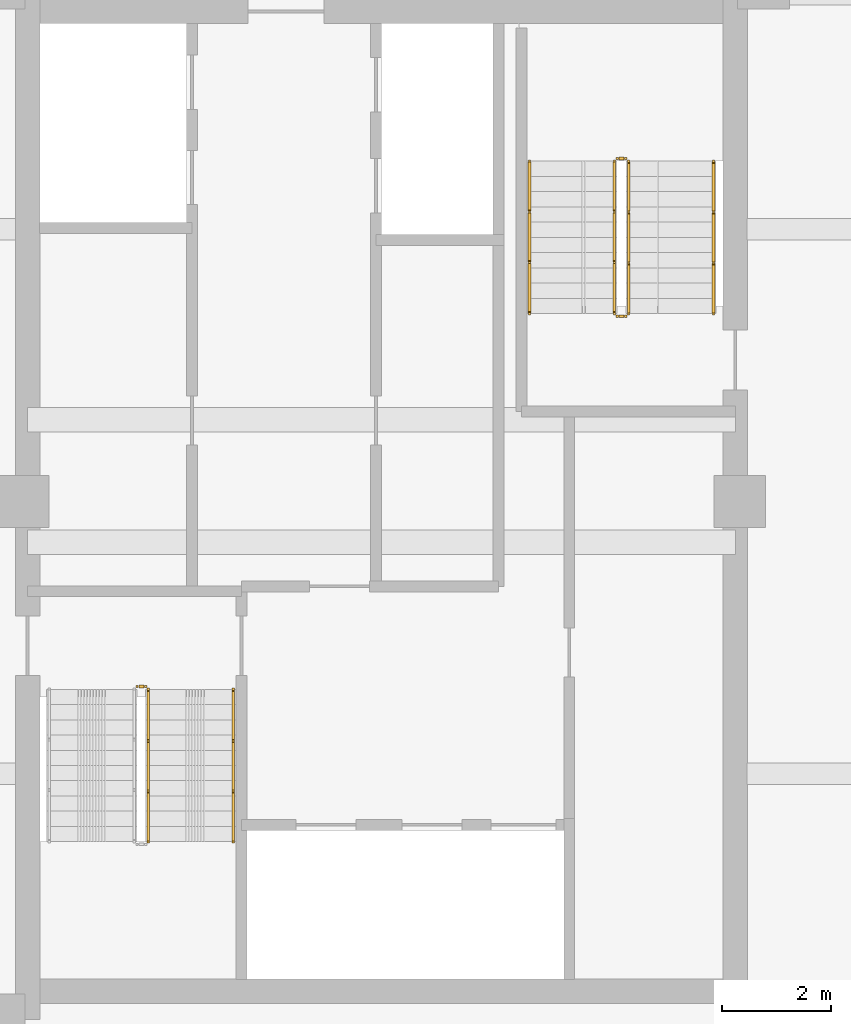
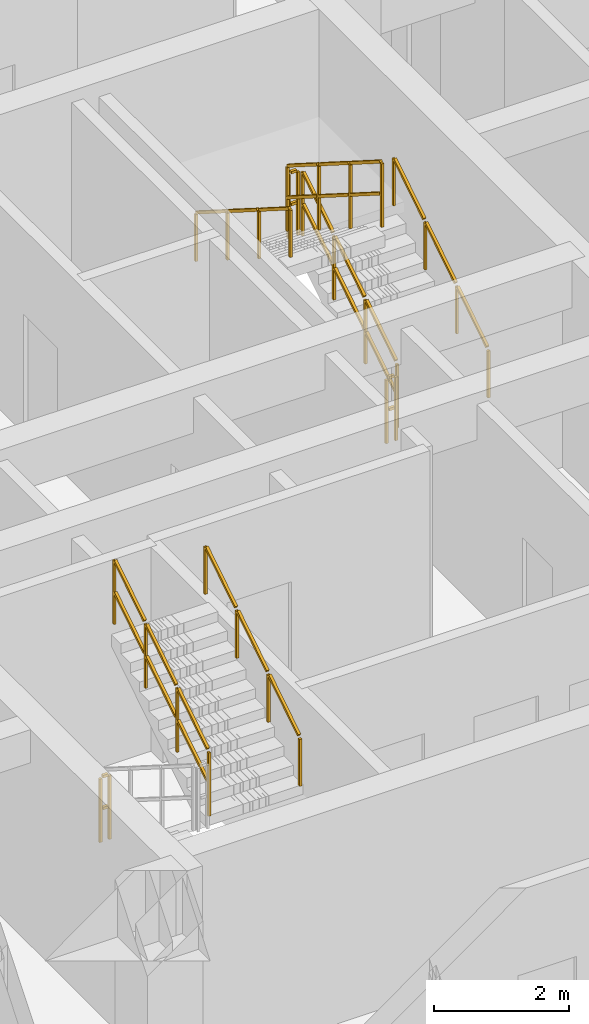
# One storey, part 25 of 27: 9 railings.
"""IFC4 building model written with IfcOpenShell, lengths in metres."""

import ifcopenshell
import ifcopenshell.guid

model = None  # the IFC model being written
_history = None  # IfcOwnerHistory: only IFC2X3 demands one
_inside = {}  # id of a spatial element -> (the spatial element, [elements in it])
_under = {}  # id of a project, library or spatial element -> (it, [spatial elements below it])
_declared = {}  # id of a project -> (the project, [libraries it declares])
_typed = {}  # id of a type object -> (the type object, [elements of that type])
_made_of = {}  # id of a material, layer set ... -> (it, [elements and type objects made of it])


def new_model(schema):
    """Start an empty IFC model of exactly this schema.

    Asked for "IFC4X3", IfcOpenShell would pick the latest addendum, in which some entities
    have other attributes; the version numbers below select the first issue.
    IFC2X3 requires an IfcOwnerHistory on every rooted entity: one is made here for all.
    """
    global model, _history
    if schema == "IFC4X3":
        model = ifcopenshell.file(schema_version=(4, 3, 0, 0))
    else:
        model = ifcopenshell.file(schema=schema)
    _inside.clear()
    _under.clear()
    _declared.clear()
    _typed.clear()
    _made_of.clear()
    _history = None
    if model.schema == "IFC2X3":
        org = make("IfcOrganization", Name="unknown")
        user = make(
            "IfcPersonAndOrganization",
            ThePerson=make("IfcPerson", FamilyName="unknown"),
            TheOrganization=org,
        )
        app = make(
            "IfcApplication",
            ApplicationDeveloper=org,
            Version="unknown",
            ApplicationFullName="unknown",
            ApplicationIdentifier="unknown",
        )
        _history = make(
            "IfcOwnerHistory",
            OwningUser=user,
            OwningApplication=app,
            ChangeAction="ADDED",
            CreationDate=0,
        )
    return model


def make(cls, **values):
    """One entity of the class cls with the attributes given. An attribute that is None is left unset."""
    return model.create_entity(
        cls, **{name: value for name, value in values.items() if value is not None}
    )


def rooted(cls, **values):
    """An entity with a GlobalId (a new one), such as an element, a storey or a relation."""
    return make(cls, GlobalId=ifcopenshell.guid.new(), OwnerHistory=_history, **values)


def si_unit(unit_type, name, prefix=None):
    """IfcSIUnit, for example si_unit("LENGTHUNIT", "METRE", prefix="MILLI")."""
    return make("IfcSIUnit", UnitType=unit_type, Prefix=prefix, Name=name)


def assignment(units):
    """IfcUnitAssignment: the units of a project."""
    return None if units is None else make("IfcUnitAssignment", Units=units)


def point(xyz):
    """IfcCartesianPoint."""
    return None if xyz is None else make("IfcCartesianPoint", Coordinates=xyz)


def direction(xyz):
    """IfcDirection."""
    return None if xyz is None else make("IfcDirection", DirectionRatios=xyz)


def frame(location, z_axis=None, x_axis=None):
    """IfcAxis2Placement3D, a coordinate frame: its origin and axes. An axis left out is left unset."""
    return make(
        "IfcAxis2Placement3D",
        Location=point(location),
        Axis=direction(z_axis),
        RefDirection=direction(x_axis),
    )


def frame_2d(location, x_axis=None):
    """IfcAxis2Placement2D, a coordinate frame in the plane: its origin and x axis."""
    return make(
        "IfcAxis2Placement2D", Location=point(location), RefDirection=direction(x_axis)
    )


def origin():
    """The frame at (0, 0, 0) with its axes left unset."""
    return frame((0.0, 0.0, 0.0))


def origin_2d():
    """The frame at (0, 0) in the plane with its x axis left unset."""
    return frame_2d((0.0, 0.0))


def place(relative_to, where):
    """IfcLocalPlacement: puts the frame where relative to a parent placement (None: the world)."""
    return make(
        "IfcLocalPlacement", PlacementRelTo=relative_to, RelativePlacement=where
    )


def context(
    kind, dimensions, precision=None, world=None, true_north=None, identifier=None
):
    """IfcGeometricRepresentationContext, for example the 3D "Model" context."""
    return make(
        "IfcGeometricRepresentationContext",
        ContextIdentifier=identifier,
        ContextType=kind,
        CoordinateSpaceDimension=dimensions,
        Precision=precision,
        WorldCoordinateSystem=world,
        TrueNorth=true_north,
    )


def subcontext(parent, identifier, kind, view, scale=None):
    """IfcGeometricRepresentationSubContext, for example "Body" below "Model"."""
    return make(
        "IfcGeometricRepresentationSubContext",
        ContextIdentifier=identifier,
        ContextType=kind,
        ParentContext=parent,
        TargetScale=scale,
        TargetView=view,
    )


def project(units=None, contexts=None):
    """IfcProject with its units and contexts."""
    return rooted(
        "IfcProject",
        Name="project",
        RepresentationContexts=contexts,
        UnitsInContext=assignment(units),
    )


def spatial(cls, under=None, at=None, **own):
    """A site, building, storey or space (cls), placed at a placement, below another one or the project."""
    s = rooted(cls, ObjectPlacement=at, **own)
    if under is not None:
        _under.setdefault(under.id(), (under, []))[1].append(s)
    return s


def profile(cls, at=None, kind="AREA", **sizes):
    """A parametric profile (cls). Its sizes go by their IFC names, for example OverallWidth=200.0."""
    return make(cls, ProfileType=kind, Position=at, **sizes)


def rectangle(**sizes):
    """IfcRectangleProfileDef."""
    return profile("IfcRectangleProfileDef", **sizes)


def extrude(swept, where, along, depth):
    """IfcExtrudedAreaSolid: the profile swept, set in the frame where, extruded along a direction by depth."""
    return make(
        "IfcExtrudedAreaSolid",
        SweptArea=swept,
        Position=where,
        ExtrudedDirection=direction(along),
        Depth=depth,
    )


def shape(context_of_items, identifier, shape_type, items):
    """IfcShapeRepresentation: the items that make up one representation, for example the "Body"."""
    return make(
        "IfcShapeRepresentation",
        ContextOfItems=context_of_items,
        RepresentationIdentifier=identifier,
        RepresentationType=shape_type,
        Items=items,
    )


def material(Name=None, Category=None):
    """IfcMaterial."""
    return make("IfcMaterial", Name=Name, Category=Category)


def made_of(thing, what):
    """Note that an element or type object is made of a material, layer set ...; save() writes the relation."""
    if what is not None:
        _made_of.setdefault(what.id(), (what, []))[1].append(thing)
    return thing


def type_object(cls, material=None, **own):
    """A type object (cls), such as IfcWallType, which elements share."""
    return made_of(rooted(cls, **own), material)


def element(
    cls,
    number,
    at=None,
    inside=None,
    cuts=None,
    type_object=None,
    material=None,
    context=None,
    identifier="Body",
    shape_type=None,
    held_by="IfcProductDefinitionShape",
    body=None,
    shapes=None,
    **own,
):
    """One element of the class cls, such as IfcWall. Its Tag is "e" and its number.

    at: its placement. inside: the storey or other place that contains it. cuts: it is an
    opening in that element (IfcRelVoidsElement). A single representation is given by context,
    identifier, shape_type and body (its items); several are given by shapes. held_by: the class
    of the entity that holds the representations. save() writes the other relations.
    """
    e = rooted(cls, Tag="e%d" % number, ObjectPlacement=at, **own)
    if body is not None:
        shapes = [shape(context, identifier, shape_type, body)]
    if shapes is not None:
        e.Representation = make(held_by, Representations=shapes)
    if inside is not None:
        _inside.setdefault(inside.id(), (inside, []))[1].append(e)
    if cuts is not None:
        rooted(
            "IfcRelVoidsElement", RelatingBuildingElement=cuts, RelatedOpeningElement=e
        )
    if type_object is not None:
        _typed.setdefault(type_object.id(), (type_object, []))[1].append(e)
    return made_of(e, material)


def aggregate(whole, parts):
    """IfcRelAggregates: a whole, such as a stair, and the parts it consists of."""
    return rooted("IfcRelAggregates", RelatingObject=whole, RelatedObjects=parts)


def save(model, path):
    """Write the relations noted so far, then the file.

    IfcRelAggregates (storeys below a building ...), IfcRelContainedInSpatialStructure (elements
    in a storey), IfcRelDefinesByType, IfcRelAssociatesMaterial and IfcRelDeclares: one each for
    every whole, place, type object, material and project.
    """
    for whole, parts in _under.values():
        aggregate(whole, parts)
    for where, things in _inside.values():
        rooted(
            "IfcRelContainedInSpatialStructure",
            RelatedElements=things,
            RelatingStructure=where,
        )
    for kind, things in _typed.values():
        rooted("IfcRelDefinesByType", RelatedObjects=things, RelatingType=kind)
    for what, things in _made_of.values():
        rooted("IfcRelAssociatesMaterial", RelatedObjects=things, RelatingMaterial=what)
    for by, libraries in _declared.values():
        rooted("IfcRelDeclares", RelatingContext=by, RelatedDefinitions=libraries)
    model.write(path)


model = new_model("IFC4")

# Units and contexts
model_context = context("Model", 3, precision=1e-05, world=origin(), true_north=direction((0.0, 1.0)))
body_context = subcontext(model_context, "Body", "Model", "MODEL_VIEW")
ifc_project = project(units=[si_unit("LENGTHUNIT", "METRE"), si_unit("AREAUNIT", "SQUARE_METRE"), si_unit("VOLUMEUNIT", "CUBIC_METRE"), si_unit("PLANEANGLEUNIT", "RADIAN"), si_unit("MASSUNIT", "GRAM", prefix="KILO")], contexts=[model_context])

# Site, building, storey
site_placement = place(None, origin())
site = spatial("IfcSite", under=ifc_project, at=site_placement, CompositionType="ELEMENT")
building_placement = place(site_placement, origin())
building = spatial("IfcBuilding", under=site, at=building_placement, Name="Saelheon Loggia Tower", CompositionType="ELEMENT")
storey_placement = place(building_placement, frame((0.0, 0.0, 226.199951171875)))
storey = spatial("IfcBuildingStorey", under=building, at=storey_placement, Name="L70", CompositionType="ELEMENT", Elevation=226.199951171875)

# Railings
ifc_material_1 = material(Name="Galvanised Steel S275 Stairwell Guardrail", Category="steel")
railing_type_1 = type_object("IfcRailingType", Name="Guard_StairWell_RL_STG", PredefinedType="GUARDRAIL", material=ifc_material_1)
railing_1_placement = place(storey_placement, frame((33.719970703125, 20.75, 2.12744140625)))
element("IfcRailing", 1, at=railing_1_placement, inside=storey, type_object=railing_type_1, Name="L70 ST1 stair guard 3", PredefinedType="GUARDRAIL", context=body_context, shape_type="SweptSolid", body=[
    extrude(rectangle(XDim=0.048095703125, YDim=0.048095703125, at=origin_2d()), frame((0.0, 0.028076171875, 1.193603515625), z_axis=(0.0, 0.844908973607, 0.534910110503), x_axis=(-1.0, 0.0, 0.0)), (0.0, 0.0, 1.0), 1.0380859375),
    extrude(rectangle(XDim=0.048095703125, YDim=0.048095703125, at=origin_2d()), frame((0.0, 0.028076171875, 0.61767578125), z_axis=(0.0, 0.844908973607, 0.534910110503), x_axis=(-1.0, 0.0, 0.0)), (0.0, 0.0, 1.0), 1.0380859375),
    extrude(rectangle(XDim=0.048095703125, YDim=0.048095703125, at=origin_2d()), frame((0.0, 0.96142578125, 1.78466796875), z_axis=(0.0, 0.844908973607, 0.534910110503), x_axis=(-1.0, 0.0, 0.0)), (0.0, 0.0, 1.0), 1.0380859375),
    extrude(rectangle(XDim=0.048095703125, YDim=0.048095703125, at=origin_2d()), frame((0.0, 0.96142578125, 1.208740234375), z_axis=(0.0, 0.844908973607, 0.534910110503), x_axis=(-1.0, 0.0, 0.0)), (0.0, 0.0, 1.0), 1.0380859375),
    extrude(rectangle(XDim=0.048095703125, YDim=0.048095703125, at=origin_2d()), frame((0.0, 1.894775390625, 2.37548828125), z_axis=(0.0, 0.844908973607, 0.534910110503), x_axis=(-1.0, 0.0, 0.0)), (0.0, 0.0, 1.0), 1.0380859375),
    extrude(rectangle(XDim=0.048095703125, YDim=0.048095703125, at=origin_2d()), frame((0.0, 1.894775390625, 1.799560546875), z_axis=(0.0, 0.844908973607, 0.534910110503), x_axis=(-1.0, 0.0, 0.0)), (0.0, 0.0, 1.0), 1.0380859375),
    extrude(rectangle(XDim=0.0419921875, YDim=0.0419921875, at=origin_2d()), origin(), (0.0, 0.0, 1.0), 1.14794921875),
    extrude(rectangle(XDim=0.0419921875, YDim=0.0419921875, at=origin_2d()), frame((0.0, 0.933349609375, 0.5908203125)), (0.0, 0.0, 1.0), 1.14794921875),
    extrude(rectangle(XDim=0.0419921875, YDim=0.0419921875, at=origin_2d()), frame((0.0, 1.86669921875, 1.181884765625)), (0.0, 0.0, 1.0), 1.14794921875),
    extrude(rectangle(XDim=0.0419921875, YDim=0.0419921875, at=origin_2d()), frame((0.0, 2.800048828125, 1.772705078125)), (0.0, 0.0, 1.0), 1.14794921875),
])
railing_2_placement = place(storey_placement, frame((33.510009765625, 23.60009765625, 0.0)))
element("IfcRailing", 2, at=railing_2_placement, inside=storey, type_object=railing_type_1, Name="L70 ST1 stair guard 4", PredefinedType="GUARDRAIL", context=body_context, shape_type="SweptSolid", body=[
    extrude(rectangle(XDim=0.048095703125, YDim=0.048095703125, at=origin_2d()), frame((0.033203125, 0.0, 1.17578125), z_axis=(1.0, 0.0, 0.0), x_axis=(0.0, 1.0, 0.0)), (0.0, 0.0, 1.0), 0.093505859375),
    extrude(rectangle(XDim=0.048095703125, YDim=0.048095703125, at=origin_2d()), frame((0.033203125, 0.0, 0.60009765625), z_axis=(1.0, 0.0, 0.0), x_axis=(0.0, 1.0, 0.0)), (0.0, 0.0, 1.0), 0.093505859375),
    extrude(rectangle(XDim=0.0419921875, YDim=0.0419921875, at=origin_2d()), origin(), (0.0, 0.0, 1.0), 1.14794921875),
    extrude(rectangle(XDim=0.0419921875, YDim=0.0419921875, at=origin_2d()), frame((0.159912109375, 0.0, 0.0)), (0.0, 0.0, 1.0), 1.14794921875),
])
railing_3_placement = place(storey_placement, frame((42.5400390625, 30.449951171875, 0.17724609375)))
element("IfcRailing", 3, at=railing_3_placement, inside=storey, type_object=railing_type_1, Name="L70 ST2 stair guard 1", PredefinedType="GUARDRAIL", context=body_context, shape_type="SweptSolid", body=[
    extrude(rectangle(XDim=0.048095703125, YDim=0.048095703125, at=origin_2d()), frame((0.0, 0.028076171875, 1.193603515625), z_axis=(0.0, 0.844908973607, 0.534910110503), x_axis=(-1.0, 0.0, 0.0)), (0.0, 0.0, 1.0), 1.0380859375),
    extrude(rectangle(XDim=0.048095703125, YDim=0.048095703125, at=origin_2d()), frame((0.0, 0.028076171875, 0.61767578125), z_axis=(0.0, 0.844908973607, 0.534910110503), x_axis=(-1.0, 0.0, 0.0)), (0.0, 0.0, 1.0), 1.0380859375),
    extrude(rectangle(XDim=0.048095703125, YDim=0.048095703125, at=origin_2d()), frame((0.0, 0.96142578125, 1.78466796875), z_axis=(0.0, 0.844908973607, 0.534910110503), x_axis=(-1.0, 0.0, 0.0)), (0.0, 0.0, 1.0), 1.0380859375),
    extrude(rectangle(XDim=0.048095703125, YDim=0.048095703125, at=origin_2d()), frame((0.0, 0.96142578125, 1.208740234375), z_axis=(0.0, 0.844908973607, 0.534910110503), x_axis=(-1.0, 0.0, 0.0)), (0.0, 0.0, 1.0), 1.0380859375),
    extrude(rectangle(XDim=0.048095703125, YDim=0.048095703125, at=origin_2d()), frame((0.0, 1.894775390625, 2.37548828125), z_axis=(0.0, 0.844908973607, 0.534910110503), x_axis=(-1.0, 0.0, 0.0)), (0.0, 0.0, 1.0), 1.0380859375),
    extrude(rectangle(XDim=0.048095703125, YDim=0.048095703125, at=origin_2d()), frame((0.0, 1.894775390625, 1.799560546875), z_axis=(0.0, 0.844908973607, 0.534910110503), x_axis=(-1.0, 0.0, 0.0)), (0.0, 0.0, 1.0), 1.0380859375),
    extrude(rectangle(XDim=0.0419921875, YDim=0.0419921875, at=origin_2d()), origin(), (0.0, 0.0, 1.0), 1.14794921875),
    extrude(rectangle(XDim=0.0419921875, YDim=0.0419921875, at=origin_2d()), frame((0.0, 0.933349609375, 0.5908203125)), (0.0, 0.0, 1.0), 1.14794921875),
    extrude(rectangle(XDim=0.0419921875, YDim=0.0419921875, at=origin_2d()), frame((0.0, 1.86669921875, 1.181884765625)), (0.0, 0.0, 1.0), 1.14794921875),
    extrude(rectangle(XDim=0.0419921875, YDim=0.0419921875, at=origin_2d()), frame((0.0, 2.800048828125, 1.772705078125)), (0.0, 0.0, 1.0), 1.14794921875),
])
railing_4_placement = place(storey_placement, frame((42.489990234375, 33.300048828125, 1.949951171875)))
element("IfcRailing", 4, at=railing_4_placement, inside=storey, type_object=railing_type_1, Name="L70 ST2 stair guard 2", PredefinedType="GUARDRAIL", context=body_context, shape_type="SweptSolid", body=[
    extrude(rectangle(XDim=0.048095703125, YDim=0.048095703125, at=origin_2d()), frame((-0.033203125, 0.0, 1.17578125), z_axis=(-1.0, 0.0, 0.0), x_axis=(0.0, -1.0, 0.0)), (0.0, 0.0, 1.0), 0.093505859375),
    extrude(rectangle(XDim=0.048095703125, YDim=0.048095703125, at=origin_2d()), frame((-0.033203125, 0.0, 0.60009765625), z_axis=(-1.0, 0.0, 0.0), x_axis=(0.0, -1.0, 0.0)), (0.0, 0.0, 1.0), 0.093505859375),
    extrude(rectangle(XDim=0.0419921875, YDim=0.0419921875, at=origin_2d()), origin(), (0.0, 0.0, 1.0), 1.14794921875),
    extrude(rectangle(XDim=0.0419921875, YDim=0.0419921875, at=origin_2d()), frame((-0.159912109375, 0.0, 0.0)), (0.0, 0.0, 1.0), 1.14794921875),
])
railing_5_placement = place(storey_placement, frame((42.280029296875, 33.25, 2.12744140625)))
element("IfcRailing", 5, at=railing_5_placement, inside=storey, type_object=railing_type_1, Name="L70 ST2 stair guard 3", PredefinedType="GUARDRAIL", context=body_context, shape_type="SweptSolid", body=[
    extrude(rectangle(XDim=0.048095703125, YDim=0.048095703125, at=origin_2d()), frame((0.0, -0.028076171875, 1.193603515625), z_axis=(0.0, -0.844908973607, 0.534910110503), x_axis=(1.0, 0.0, 0.0)), (0.0, 0.0, 1.0), 1.0380859375),
    extrude(rectangle(XDim=0.048095703125, YDim=0.048095703125, at=origin_2d()), frame((0.0, -0.028076171875, 0.61767578125), z_axis=(0.0, -0.844908973607, 0.534910110503), x_axis=(1.0, 0.0, 0.0)), (0.0, 0.0, 1.0), 1.0380859375),
    extrude(rectangle(XDim=0.048095703125, YDim=0.048095703125, at=origin_2d()), frame((0.0, -0.96142578125, 1.78466796875), z_axis=(0.0, -0.844908973607, 0.534910110503), x_axis=(1.0, 0.0, 0.0)), (0.0, 0.0, 1.0), 1.0380859375),
    extrude(rectangle(XDim=0.048095703125, YDim=0.048095703125, at=origin_2d()), frame((0.0, -0.96142578125, 1.208740234375), z_axis=(0.0, -0.844908973607, 0.534910110503), x_axis=(1.0, 0.0, 0.0)), (0.0, 0.0, 1.0), 1.0380859375),
    extrude(rectangle(XDim=0.048095703125, YDim=0.048095703125, at=origin_2d()), frame((0.0, -1.894775390625, 2.37548828125), z_axis=(0.0, -0.844908973607, 0.534910110503), x_axis=(1.0, 0.0, 0.0)), (0.0, 0.0, 1.0), 1.0380859375),
    extrude(rectangle(XDim=0.048095703125, YDim=0.048095703125, at=origin_2d()), frame((0.0, -1.894775390625, 1.799560546875), z_axis=(0.0, -0.844908973607, 0.534910110503), x_axis=(1.0, 0.0, 0.0)), (0.0, 0.0, 1.0), 1.0380859375),
    extrude(rectangle(XDim=0.0419921875, YDim=0.0419921875, at=origin_2d()), origin(), (0.0, 0.0, 1.0), 1.14794921875),
    extrude(rectangle(XDim=0.0419921875, YDim=0.0419921875, at=origin_2d()), frame((0.0, -0.933349609375, 0.5908203125)), (0.0, 0.0, 1.0), 1.14794921875),
    extrude(rectangle(XDim=0.0419921875, YDim=0.0419921875, at=origin_2d()), frame((0.0, -1.86669921875, 1.181884765625)), (0.0, 0.0, 1.0), 1.14794921875),
    extrude(rectangle(XDim=0.0419921875, YDim=0.0419921875, at=origin_2d()), frame((0.0, -2.800048828125, 1.772705078125)), (0.0, 0.0, 1.0), 1.14794921875),
])
railing_6_placement = place(storey_placement, frame((42.489990234375, 30.39990234375, 0.0)))
element("IfcRailing", 6, at=railing_6_placement, inside=storey, type_object=railing_type_1, Name="L70 ST2 stair guard 4", PredefinedType="GUARDRAIL", context=body_context, shape_type="SweptSolid", body=[
    extrude(rectangle(XDim=0.048095703125, YDim=0.048095703125, at=origin_2d()), frame((-0.033203125, 0.0, 1.17578125), z_axis=(-1.0, 0.0, 0.0), x_axis=(0.0, -1.0, 0.0)), (0.0, 0.0, 1.0), 0.093505859375),
    extrude(rectangle(XDim=0.048095703125, YDim=0.048095703125, at=origin_2d()), frame((-0.033203125, 0.0, 0.60009765625), z_axis=(-1.0, 0.0, 0.0), x_axis=(0.0, -1.0, 0.0)), (0.0, 0.0, 1.0), 0.093505859375),
    extrude(rectangle(XDim=0.0419921875, YDim=0.0419921875, at=origin_2d()), origin(), (0.0, 0.0, 1.0), 1.14794921875),
    extrude(rectangle(XDim=0.0419921875, YDim=0.0419921875, at=origin_2d()), frame((-0.159912109375, 0.0, 0.0)), (0.0, 0.0, 1.0), 1.14794921875),
])
ifc_material_2 = material(Name="Stainless Steel 304 Tubular Handrail", Category="steel")
railing_type_2 = type_object("IfcRailingType", Name="Handrail_Stair_RL_HR1", PredefinedType="HANDRAIL", material=ifc_material_2)
for number, where, name in (
    (7, (35.280029296875, 20.75, 2.12744140625), "L70 ST1 stair handrail 2"),
    (8, (44.10009765625, 30.449951171875, 0.17724609375), "L70 ST2 stair handrail 1"),
):
    element("IfcRailing", number, at=place(storey_placement, frame(where)), inside=storey, type_object=railing_type_2, Name=name, PredefinedType="HANDRAIL", context=body_context, shape_type="SweptSolid", body=[
        extrude(rectangle(XDim=0.048095703125, YDim=0.048095703125, at=origin_2d()), frame((0.0, 0.028076171875, 0.8935546875), z_axis=(0.0, 0.844908973607, 0.534910110503), x_axis=(-1.0, 0.0, 0.0)), (0.0, 0.0, 1.0), 1.0380859375),
        extrude(rectangle(XDim=0.048095703125, YDim=0.048095703125, at=origin_2d()), frame((0.0, 0.96142578125, 1.484619140625), z_axis=(0.0, 0.844908973607, 0.534910110503), x_axis=(-1.0, 0.0, 0.0)), (0.0, 0.0, 1.0), 1.0380859375),
        extrude(rectangle(XDim=0.048095703125, YDim=0.048095703125, at=origin_2d()), frame((0.0, 1.894775390625, 2.075439453125), z_axis=(0.0, 0.844908973607, 0.534910110503), x_axis=(-1.0, 0.0, 0.0)), (0.0, 0.0, 1.0), 1.0380859375),
        extrude(rectangle(XDim=0.0419921875, YDim=0.0419921875, at=origin_2d()), origin(), (0.0, 0.0, 1.0), 0.847900390625),
        extrude(rectangle(XDim=0.0419921875, YDim=0.0419921875, at=origin_2d()), frame((0.0, 0.933349609375, 0.5908203125)), (0.0, 0.0, 1.0), 0.847900390625),
        extrude(rectangle(XDim=0.0419921875, YDim=0.0419921875, at=origin_2d()), frame((0.0, 1.86669921875, 1.181884765625)), (0.0, 0.0, 1.0), 0.847900390625),
        extrude(rectangle(XDim=0.0419921875, YDim=0.0419921875, at=origin_2d()), frame((0.0, 2.800048828125, 1.772705078125)), (0.0, 0.0, 1.0), 0.847900390625),
    ])
railing_7_placement = place(storey_placement, frame((40.719970703125, 33.25, 2.12744140625)))
element("IfcRailing", 9, at=railing_7_placement, inside=storey, type_object=railing_type_2, Name="L70 ST2 stair handrail 2", PredefinedType="HANDRAIL", context=body_context, shape_type="SweptSolid", body=[
    extrude(rectangle(XDim=0.048095703125, YDim=0.048095703125, at=origin_2d()), frame((0.0, -0.028076171875, 0.8935546875), z_axis=(0.0, -0.844908973607, 0.534910110503), x_axis=(1.0, 0.0, 0.0)), (0.0, 0.0, 1.0), 1.0380859375),
    extrude(rectangle(XDim=0.048095703125, YDim=0.048095703125, at=origin_2d()), frame((0.0, -0.96142578125, 1.484619140625), z_axis=(0.0, -0.844908973607, 0.534910110503), x_axis=(1.0, 0.0, 0.0)), (0.0, 0.0, 1.0), 1.0380859375),
    extrude(rectangle(XDim=0.048095703125, YDim=0.048095703125, at=origin_2d()), frame((0.0, -1.894775390625, 2.075439453125), z_axis=(0.0, -0.844908973607, 0.534910110503), x_axis=(1.0, 0.0, 0.0)), (0.0, 0.0, 1.0), 1.0380859375),
    extrude(rectangle(XDim=0.0419921875, YDim=0.0419921875, at=origin_2d()), origin(), (0.0, 0.0, 1.0), 0.847900390625),
    extrude(rectangle(XDim=0.0419921875, YDim=0.0419921875, at=origin_2d()), frame((0.0, -0.933349609375, 0.5908203125)), (0.0, 0.0, 1.0), 0.847900390625),
    extrude(rectangle(XDim=0.0419921875, YDim=0.0419921875, at=origin_2d()), frame((0.0, -1.86669921875, 1.181884765625)), (0.0, 0.0, 1.0), 0.847900390625),
    extrude(rectangle(XDim=0.0419921875, YDim=0.0419921875, at=origin_2d()), frame((0.0, -2.800048828125, 1.772705078125)), (0.0, 0.0, 1.0), 0.847900390625),
])

save(model, "model.ifc")
